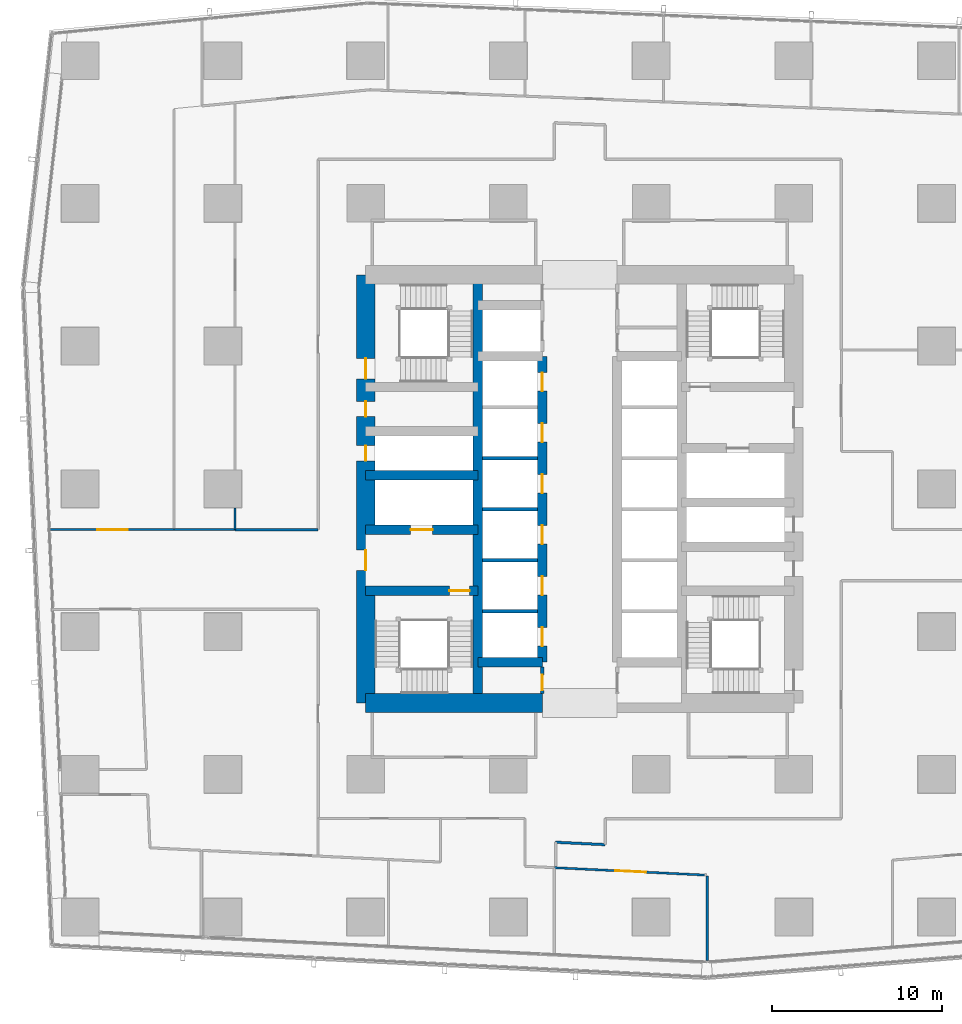
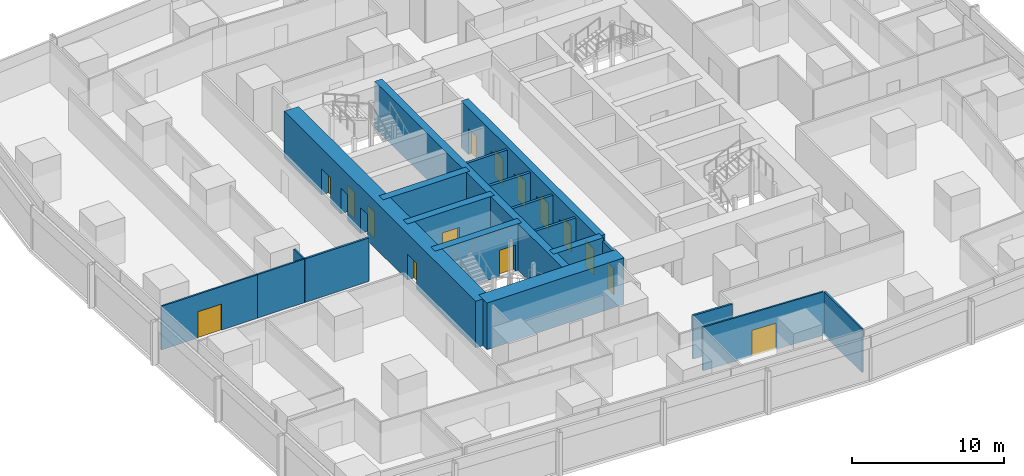
# One storey, part 32 of 44: 20 walls, 15 doors, 15 openings.
"""IFC4 building model written with IfcOpenShell, lengths in metres."""

from ifc_helpers import new_model, si_unit, direction, frame, frame_2d, origin, place, context, subcontext, project, spatial, rectangle, extrude, material, layer, layer_set, type_object, element, fill, save


model = new_model("IFC4")

# Units and contexts
model_context = context("Model", 3, precision=1e-05, world=origin(), true_north=direction((0.0, 1.0)))
body_context = subcontext(model_context, "Body", "Model", "MODEL_VIEW")
ifc_project = project(units=[si_unit("LENGTHUNIT", "METRE"), si_unit("AREAUNIT", "SQUARE_METRE"), si_unit("VOLUMEUNIT", "CUBIC_METRE"), si_unit("PLANEANGLEUNIT", "RADIAN"), si_unit("MASSUNIT", "GRAM", prefix="KILO")], contexts=[model_context])

# Site, building, storey
site_placement = place(None, origin())
site = spatial("IfcSite", under=ifc_project, at=site_placement, CompositionType="ELEMENT")
building_placement = place(site_placement, origin())
building = spatial("IfcBuilding", under=site, at=building_placement, Name="Rekha Terrace Tower", CompositionType="ELEMENT")
storey_placement = place(building_placement, frame((0.0, 0.0, 62.89990234375)))
storey = spatial("IfcBuildingStorey", under=building, at=storey_placement, Name="L15", CompositionType="ELEMENT", Elevation=62.89990234375)

# Wall
ifc_material_1 = material(Name="Concrete M70", Category="concrete")
ifc_layer_1 = layer(ifc_material_1, 0.550048828125)
ifc_layer_set_1 = layer_set([ifc_layer_1], Name="Concrete M70")
wall_type_1 = type_object("IfcWallType", Name="CI1 550 core internal shear wall", PredefinedType="SHEAR", material=ifc_layer_set_1)
wall_1_placement = place(storey_placement, frame((31.800048828125, 21.0, 0.0), z_axis=(0.0, 0.0, 1.0), x_axis=(0.0, 1.0, 0.0)))
element("IfcWall", 1, at=wall_1_placement, inside=storey, type_object=wall_type_1, Name="Core wall X318 L15", PredefinedType="SHEAR", context=body_context, shape_type="SweptSolid", body=[
    extrude(rectangle(XDim=25.199951171875, YDim=0.550048828125, at=frame_2d((12.60009765625, 0.0))), origin(), (0.0, 0.0, 1.0), 3.75),
])

# Wall, openings, doors
wall_2_placement = place(storey_placement, frame((35.60009765625, 23.39990234375, 0.0), z_axis=(0.0, 0.0, 1.0), x_axis=(0.0, 1.0, 0.0)))
wall_2 = element("IfcWall", 2, at=wall_2_placement, inside=storey, type_object=wall_type_1, Name="Core wall X356 L15", PredefinedType="SHEAR", context=body_context, shape_type="SweptSolid", body=[
    extrude(rectangle(XDim=18.0, YDim=0.550048828125, at=frame_2d((9.0, 0.0))), origin(), (0.0, 0.0, 1.0), 3.75),
])
opening_1_placement = place(wall_2_placement, frame((0.949951171875, 0.0, 0.0)))
opening_1 = element("IfcOpeningElement", 3, at=opening_1_placement, cuts=wall_2, Name="Opening LD1", PredefinedType="OPENING", context=body_context, shape_type="SweptSolid", body=[
    extrude(rectangle(XDim=1.10009765625, YDim=2.10009765625, at=frame_2d((0.550048828125, 1.050048828125))), frame((0.0, 0.284912109375, 0.0), z_axis=(0.0, -1.0, 0.0), x_axis=(1.0, 0.0, 0.0)), (0.0, 0.0, 1.0), 0.570068359375),
])
opening_2_placement = place(wall_2_placement, frame((3.949951171875, 0.0, 0.0)))
opening_2 = element("IfcOpeningElement", 4, at=opening_2_placement, cuts=wall_2, Name="Opening LD1", PredefinedType="OPENING", context=body_context, shape_type="SweptSolid", body=[
    extrude(rectangle(XDim=1.10009765625, YDim=2.10009765625, at=frame_2d((0.550048828125, 1.050048828125))), frame((0.0, 0.284912109375, 0.0), z_axis=(0.0, -1.0, 0.0), x_axis=(1.0, 0.0, 0.0)), (0.0, 0.0, 1.0), 0.570068359375),
])
opening_3_placement = place(wall_2_placement, frame((6.949951171875, 0.0, 0.0)))
opening_3 = element("IfcOpeningElement", 5, at=opening_3_placement, cuts=wall_2, Name="Opening LD1", PredefinedType="OPENING", context=body_context, shape_type="SweptSolid", body=[
    extrude(rectangle(XDim=1.10009765625, YDim=2.10009765625, at=frame_2d((0.550048828125, 1.050048828125))), frame((0.0, 0.284912109375, 0.0), z_axis=(0.0, -1.0, 0.0), x_axis=(1.0, 0.0, 0.0)), (0.0, 0.0, 1.0), 0.570068359375),
])
opening_4_placement = place(wall_2_placement, frame((9.949951171875, 0.0, 0.0)))
opening_4 = element("IfcOpeningElement", 6, at=opening_4_placement, cuts=wall_2, Name="Opening LD1", PredefinedType="OPENING", context=body_context, shape_type="SweptSolid", body=[
    extrude(rectangle(XDim=1.10009765625, YDim=2.10009765625, at=frame_2d((0.550048828125, 1.050048828125))), frame((0.0, 0.284912109375, 0.0), z_axis=(0.0, -1.0, 0.0), x_axis=(1.0, 0.0, 0.0)), (0.0, 0.0, 1.0), 0.570068359375),
])
opening_5_placement = place(wall_2_placement, frame((12.949951171875, 0.0, 0.0)))
opening_5 = element("IfcOpeningElement", 7, at=opening_5_placement, cuts=wall_2, Name="Opening LD1", PredefinedType="OPENING", context=body_context, shape_type="SweptSolid", body=[
    extrude(rectangle(XDim=1.10009765625, YDim=2.10009765625, at=frame_2d((0.550048828125, 1.050048828125))), frame((0.0, 0.284912109375, 0.0), z_axis=(0.0, -1.0, 0.0), x_axis=(1.0, 0.0, 0.0)), (0.0, 0.0, 1.0), 0.570068359375),
])
opening_6_placement = place(wall_2_placement, frame((15.949951171875, 0.0, 0.0)))
opening_6 = element("IfcOpeningElement", 8, at=opening_6_placement, cuts=wall_2, Name="Opening LD1", PredefinedType="OPENING", context=body_context, shape_type="SweptSolid", body=[
    extrude(rectangle(XDim=1.10009765625, YDim=2.10009765625, at=frame_2d((0.550048828125, 1.050048828125))), frame((0.0, 0.284912109375, 0.0), z_axis=(0.0, -1.0, 0.0), x_axis=(1.0, 0.0, 0.0)), (0.0, 0.0, 1.0), 0.570068359375),
])
ifc_material_2 = material(Name="Stainless steel sliding landing door", Category="steel")
door_type_1 = type_object("IfcDoorType", Name="LD1 1100x2100 lift landing door", OperationType="SLIDING_TO_LEFT", PredefinedType="USERDEFINED", material=ifc_material_2)
door_1_placement = place(opening_1_placement, origin())
door_1 = element("IfcDoor", 9, at=door_1_placement, inside=storey, type_object=door_type_1, Name="Lift A1 landing door L15", ObjectType="LIFT LANDING DOOR", OperationType="SLIDING_TO_LEFT", OverallHeight=2.10009765625, OverallWidth=1.10009765625, PredefinedType="USERDEFINED", context=body_context, shape_type="SweptSolid", body=[
    extrude(rectangle(XDim=1.10009765625, YDim=2.10009765625, at=frame_2d((0.550048828125, 1.050048828125))), frame((0.0, 0.02490234375, 0.0), z_axis=(0.0, -1.0, 0.0), x_axis=(1.0, 0.0, 0.0)), (0.0, 0.0, 1.0), 0.050048828125),
])
fill(opening_1, door_1)
door_2_placement = place(opening_2_placement, origin())
door_2 = element("IfcDoor", 10, at=door_2_placement, inside=storey, type_object=door_type_1, Name="Lift A2 landing door L15", ObjectType="LIFT LANDING DOOR", OperationType="SLIDING_TO_LEFT", OverallHeight=2.10009765625, OverallWidth=1.10009765625, PredefinedType="USERDEFINED", context=body_context, shape_type="SweptSolid", body=[
    extrude(rectangle(XDim=1.10009765625, YDim=2.10009765625, at=frame_2d((0.550048828125, 1.050048828125))), frame((0.0, 0.02490234375, 0.0), z_axis=(0.0, -1.0, 0.0), x_axis=(1.0, 0.0, 0.0)), (0.0, 0.0, 1.0), 0.050048828125),
])
fill(opening_2, door_2)
door_3_placement = place(opening_3_placement, origin())
door_3 = element("IfcDoor", 11, at=door_3_placement, inside=storey, type_object=door_type_1, Name="Lift A3 landing door L15", ObjectType="LIFT LANDING DOOR", OperationType="SLIDING_TO_LEFT", OverallHeight=2.10009765625, OverallWidth=1.10009765625, PredefinedType="USERDEFINED", context=body_context, shape_type="SweptSolid", body=[
    extrude(rectangle(XDim=1.10009765625, YDim=2.10009765625, at=frame_2d((0.550048828125, 1.050048828125))), frame((0.0, 0.02490234375, 0.0), z_axis=(0.0, -1.0, 0.0), x_axis=(1.0, 0.0, 0.0)), (0.0, 0.0, 1.0), 0.050048828125),
])
fill(opening_3, door_3)
door_4_placement = place(opening_4_placement, origin())
door_4 = element("IfcDoor", 12, at=door_4_placement, inside=storey, type_object=door_type_1, Name="Lift A4 landing door L15", ObjectType="LIFT LANDING DOOR", OperationType="SLIDING_TO_LEFT", OverallHeight=2.10009765625, OverallWidth=1.10009765625, PredefinedType="USERDEFINED", context=body_context, shape_type="SweptSolid", body=[
    extrude(rectangle(XDim=1.10009765625, YDim=2.10009765625, at=frame_2d((0.550048828125, 1.050048828125))), frame((0.0, 0.02490234375, 0.0), z_axis=(0.0, -1.0, 0.0), x_axis=(1.0, 0.0, 0.0)), (0.0, 0.0, 1.0), 0.050048828125),
])
fill(opening_4, door_4)
door_5_placement = place(opening_5_placement, origin())
door_5 = element("IfcDoor", 13, at=door_5_placement, inside=storey, type_object=door_type_1, Name="Lift A5 landing door L15", ObjectType="LIFT LANDING DOOR", OperationType="SLIDING_TO_LEFT", OverallHeight=2.10009765625, OverallWidth=1.10009765625, PredefinedType="USERDEFINED", context=body_context, shape_type="SweptSolid", body=[
    extrude(rectangle(XDim=1.10009765625, YDim=2.10009765625, at=frame_2d((0.550048828125, 1.050048828125))), frame((0.0, 0.02490234375, 0.0), z_axis=(0.0, -1.0, 0.0), x_axis=(1.0, 0.0, 0.0)), (0.0, 0.0, 1.0), 0.050048828125),
])
fill(opening_5, door_5)
door_6_placement = place(opening_6_placement, origin())
door_6 = element("IfcDoor", 14, at=door_6_placement, inside=storey, type_object=door_type_1, Name="Lift A6 landing door L15", ObjectType="LIFT LANDING DOOR", OperationType="SLIDING_TO_LEFT", OverallHeight=2.10009765625, OverallWidth=1.10009765625, PredefinedType="USERDEFINED", context=body_context, shape_type="SweptSolid", body=[
    extrude(rectangle(XDim=1.10009765625, YDim=2.10009765625, at=frame_2d((0.550048828125, 1.050048828125))), frame((0.0, 0.02490234375, 0.0), z_axis=(0.0, -1.0, 0.0), x_axis=(1.0, 0.0, 0.0)), (0.0, 0.0, 1.0), 0.050048828125),
])
fill(opening_6, door_6)

# Wall
wall_3_placement = place(storey_placement, frame((31.800048828125, 23.39990234375, 0.0), z_axis=(0.0, 0.0, 1.0), x_axis=(1.0, 0.0, 0.0)))
element("IfcWall", 15, at=wall_3_placement, inside=storey, type_object=wall_type_1, Name="Core wall Y234W L15", PredefinedType="SHEAR", context=body_context, shape_type="SweptSolid", body=[
    extrude(rectangle(XDim=3.800048828125, YDim=0.550048828125, at=frame_2d((1.89990234375, 0.0))), origin(), (0.0, 0.0, 1.0), 3.75),
])

# Wall, opening, door
wall_4_placement = place(storey_placement, frame((25.199951171875, 27.60009765625, 0.0), z_axis=(0.0, 0.0, 1.0), x_axis=(1.0, 0.0, 0.0)))
wall_4 = element("IfcWall", 16, at=wall_4_placement, inside=storey, type_object=wall_type_1, Name="Core wall Y276W L15", PredefinedType="SHEAR", context=body_context, shape_type="SweptSolid", body=[
    extrude(rectangle(XDim=6.60009765625, YDim=0.550048828125, at=frame_2d((3.300048828125, 0.0))), origin(), (0.0, 0.0, 1.0), 3.75),
])
opening_7_placement = place(wall_4_placement, frame((4.925048828125, 0.0, 0.0)))
opening_7 = element("IfcOpeningElement", 17, at=opening_7_placement, cuts=wall_4, Name="Opening D1", PredefinedType="OPENING", context=body_context, shape_type="SweptSolid", body=[
    extrude(rectangle(XDim=1.199951171875, YDim=2.10009765625, at=frame_2d((0.60009765625, 1.050048828125))), frame((0.0, 0.284912109375, 0.0), z_axis=(0.0, -1.0, 0.0), x_axis=(1.0, 0.0, 0.0)), (0.0, 0.0, 1.0), 0.570068359375),
])
ifc_material_3 = material(Name="Steel fire door", Category="steel")
door_type_2 = type_object("IfcDoorType", Name="D1 1200x2100 stair fire door", OperationType="SINGLE_SWING_RIGHT", PredefinedType="DOOR", material=ifc_material_3)
door_7_placement = place(opening_7_placement, origin())
door_7 = element("IfcDoor", 18, at=door_7_placement, inside=storey, type_object=door_type_2, Name="Stair ST1 door L15", OperationType="SINGLE_SWING_RIGHT", OverallHeight=2.10009765625, OverallWidth=1.199951171875, PredefinedType="DOOR", context=body_context, shape_type="SweptSolid", body=[
    extrude(rectangle(XDim=1.199951171875, YDim=2.10009765625, at=frame_2d((0.60009765625, 1.050048828125))), frame((0.0, 0.02490234375, 0.0), z_axis=(0.0, -1.0, 0.0), x_axis=(1.0, 0.0, 0.0)), (0.0, 0.0, 1.0), 0.050048828125),
])
fill(opening_7, door_7)

wall_5_placement = place(storey_placement, frame((25.199951171875, 31.199951171875, 0.0), z_axis=(0.0, 0.0, 1.0), x_axis=(1.0, 0.0, 0.0)))
wall_5 = element("IfcWall", 19, at=wall_5_placement, inside=storey, type_object=wall_type_1, Name="Core wall Y312W L15", PredefinedType="SHEAR", context=body_context, shape_type="SweptSolid", body=[
    extrude(rectangle(XDim=6.60009765625, YDim=0.550048828125, at=frame_2d((3.300048828125, 0.0))), origin(), (0.0, 0.0, 1.0), 3.75),
])
opening_8_placement = place(wall_5_placement, frame((2.64990234375, 0.0, 0.0)))
opening_8 = element("IfcOpeningElement", 20, at=opening_8_placement, cuts=wall_5, Name="Opening LD2", PredefinedType="OPENING", context=body_context, shape_type="SweptSolid", body=[
    extrude(rectangle(XDim=1.300048828125, YDim=2.10009765625, at=frame_2d((0.64990234375, 1.050048828125))), frame((0.0, 0.284912109375, 0.0), z_axis=(0.0, -1.0, 0.0), x_axis=(1.0, 0.0, 0.0)), (0.0, 0.0, 1.0), 0.570068359375),
])
door_type_3 = type_object("IfcDoorType", Name="LD2 1300x2100 fire lift landing door", OperationType="SLIDING_TO_LEFT", PredefinedType="USERDEFINED", material=ifc_material_2)
door_8_placement = place(opening_8_placement, origin())
door_8 = element("IfcDoor", 21, at=door_8_placement, inside=storey, type_object=door_type_3, Name="Lift FL1 landing door L15", ObjectType="LIFT LANDING DOOR", OperationType="SLIDING_TO_LEFT", OverallHeight=2.10009765625, OverallWidth=1.300048828125, PredefinedType="USERDEFINED", context=body_context, shape_type="SweptSolid", body=[
    extrude(rectangle(XDim=1.300048828125, YDim=2.10009765625, at=frame_2d((0.64990234375, 1.050048828125))), frame((0.0, 0.02490234375, 0.0), z_axis=(0.0, -1.0, 0.0), x_axis=(1.0, 0.0, 0.0)), (0.0, 0.0, 1.0), 0.050048828125),
])
fill(opening_8, door_8)

# Walls
wall_6_placement = place(storey_placement, frame((25.199951171875, 34.39990234375, 0.0), z_axis=(0.0, 0.0, 1.0), x_axis=(1.0, 0.0, 0.0)))
element("IfcWall", 22, at=wall_6_placement, inside=storey, type_object=wall_type_1, Name="Core wall Y344W L15", PredefinedType="SHEAR", context=body_context, shape_type="SweptSolid", body=[
    extrude(rectangle(XDim=6.60009765625, YDim=0.550048828125, at=frame_2d((3.300048828125, 0.0))), origin(), (0.0, 0.0, 1.0), 3.75),
])
ifc_layer_2 = layer(ifc_material_1, 1.10009765625)
ifc_layer_set_2 = layer_set([ifc_layer_2], Name="Concrete M70")
wall_type_2 = type_object("IfcWallType", Name="SW1 1100 core outer shear wall", PredefinedType="SHEAR", material=ifc_layer_set_2)
wall_7_placement = place(storey_placement, frame((25.199951171875, 21.0, 0.0), z_axis=(0.0, 0.0, 1.0), x_axis=(1.0, 0.0, 0.0)))
element("IfcWall", 23, at=wall_7_placement, inside=storey, type_object=wall_type_2, Name="Core wall S1 L15", PredefinedType="SHEAR", context=body_context, shape_type="SweptSolid", body=[
    extrude(rectangle(XDim=10.400146484375, YDim=1.10009765625, at=frame_2d((5.2001953125, 0.0))), origin(), (0.0, 0.0, 1.0), 3.75),
])

# Wall, openings, doors
wall_8_placement = place(storey_placement, frame((25.199951171875, 21.0, 0.0), z_axis=(0.0, 0.0, 1.0), x_axis=(0.0, 1.0, 0.0)))
wall_8 = element("IfcWall", 24, at=wall_8_placement, inside=storey, type_object=wall_type_2, Name="Core wall W L15", PredefinedType="SHEAR", context=body_context, shape_type="SweptSolid", body=[
    extrude(rectangle(XDim=25.199951171875, YDim=1.10009765625, at=frame_2d((12.60009765625, 0.0))), origin(), (0.0, 0.0, 1.0), 3.75),
])
opening_9_placement = place(wall_8_placement, frame((7.800048828125, 0.0, 0.0)))
opening_9 = element("IfcOpeningElement", 25, at=opening_9_placement, cuts=wall_8, Name="Opening D2", PredefinedType="OPENING", context=body_context, shape_type="SweptSolid", body=[
    extrude(rectangle(XDim=1.199951171875, YDim=2.10009765625, at=frame_2d((0.60009765625, 1.050048828125))), frame((0.0, 0.56005859375, 0.0), z_axis=(0.0, -1.0, 0.0), x_axis=(1.0, 0.0, 0.0)), (0.0, 0.0, 1.0), 1.1201171875),
])
opening_10_placement = place(wall_8_placement, frame((14.25, 0.0, 0.0)))
opening_10 = element("IfcOpeningElement", 26, at=opening_10_placement, cuts=wall_8, Name="Opening D5", PredefinedType="OPENING", context=body_context, shape_type="SweptSolid", body=[
    extrude(rectangle(XDim=0.89990234375, YDim=2.10009765625, at=frame_2d((0.449951171875, 1.050048828125))), frame((0.0, 0.56005859375, 0.0), z_axis=(0.0, -1.0, 0.0), x_axis=(1.0, 0.0, 0.0)), (0.0, 0.0, 1.0), 1.1201171875),
])
opening_11_placement = place(wall_8_placement, frame((16.85009765625, 0.0, 0.0)))
opening_11 = element("IfcOpeningElement", 27, at=opening_11_placement, cuts=wall_8, Name="Opening D5", PredefinedType="OPENING", context=body_context, shape_type="SweptSolid", body=[
    extrude(rectangle(XDim=0.89990234375, YDim=2.10009765625, at=frame_2d((0.449951171875, 1.050048828125))), frame((0.0, 0.56005859375, 0.0), z_axis=(0.0, -1.0, 0.0), x_axis=(1.0, 0.0, 0.0)), (0.0, 0.0, 1.0), 1.1201171875),
])
opening_12_placement = place(wall_8_placement, frame((19.074951171875, 0.0, 0.0)))
opening_12 = element("IfcOpeningElement", 28, at=opening_12_placement, cuts=wall_8, Name="Opening D1", PredefinedType="OPENING", context=body_context, shape_type="SweptSolid", body=[
    extrude(rectangle(XDim=1.199951171875, YDim=2.10009765625, at=frame_2d((0.60009765625, 1.050048828125))), frame((0.0, 0.56005859375, 0.0), z_axis=(0.0, -1.0, 0.0), x_axis=(1.0, 0.0, 0.0)), (0.0, 0.0, 1.0), 1.1201171875),
])
door_9_placement = place(opening_12_placement, origin())
door_9 = element("IfcDoor", 29, at=door_9_placement, inside=storey, type_object=door_type_2, Name="Stair ST4 door L15", OperationType="SINGLE_SWING_RIGHT", OverallHeight=2.10009765625, OverallWidth=1.199951171875, PredefinedType="DOOR", context=body_context, shape_type="SweptSolid", body=[
    extrude(rectangle(XDim=1.199951171875, YDim=2.10009765625, at=frame_2d((0.60009765625, 1.050048828125))), frame((0.0, 0.02490234375, 0.0), z_axis=(0.0, -1.0, 0.0), x_axis=(1.0, 0.0, 0.0)), (0.0, 0.0, 1.0), 0.050048828125),
])
fill(opening_12, door_9)
door_type_4 = type_object("IfcDoorType", Name="D2 1200x2100 firefighting lobby door", OperationType="SINGLE_SWING_LEFT", PredefinedType="DOOR", material=ifc_material_3)
door_10_placement = place(opening_9_placement, origin())
door_10 = element("IfcDoor", 30, at=door_10_placement, inside=storey, type_object=door_type_4, Name="Door flb1 L15", OperationType="SINGLE_SWING_LEFT", OverallHeight=2.10009765625, OverallWidth=1.199951171875, PredefinedType="DOOR", context=body_context, shape_type="SweptSolid", body=[
    extrude(rectangle(XDim=1.199951171875, YDim=2.10009765625, at=frame_2d((0.60009765625, 1.050048828125))), frame((0.0, 0.02490234375, 0.0), z_axis=(0.0, -1.0, 0.0), x_axis=(1.0, 0.0, 0.0)), (0.0, 0.0, 1.0), 0.050048828125),
])
fill(opening_9, door_10)
door_type_5 = type_object("IfcDoorType", Name="D5 900x2100 riser access door", OperationType="SINGLE_SWING_LEFT", PredefinedType="DOOR", material=ifc_material_3)
door_11_placement = place(opening_10_placement, origin())
door_11 = element("IfcDoor", 31, at=door_11_placement, inside=storey, type_object=door_type_5, Name="Door rs1 L15", OperationType="SINGLE_SWING_LEFT", OverallHeight=2.10009765625, OverallWidth=0.89990234375, PredefinedType="DOOR", context=body_context, shape_type="SweptSolid", body=[
    extrude(rectangle(XDim=0.89990234375, YDim=2.10009765625, at=frame_2d((0.449951171875, 1.050048828125))), frame((0.0, 0.02490234375, 0.0), z_axis=(0.0, -1.0, 0.0), x_axis=(1.0, 0.0, 0.0)), (0.0, 0.0, 1.0), 0.050048828125),
])
fill(opening_10, door_11)
door_12_placement = place(opening_11_placement, origin())
door_12 = element("IfcDoor", 32, at=door_12_placement, inside=storey, type_object=door_type_5, Name="Door elw L15", OperationType="SINGLE_SWING_LEFT", OverallHeight=2.10009765625, OverallWidth=0.89990234375, PredefinedType="DOOR", context=body_context, shape_type="SweptSolid", body=[
    extrude(rectangle(XDim=0.89990234375, YDim=2.10009765625, at=frame_2d((0.449951171875, 1.050048828125))), frame((0.0, 0.02490234375, 0.0), z_axis=(0.0, -1.0, 0.0), x_axis=(1.0, 0.0, 0.0)), (0.0, 0.0, 1.0), 0.050048828125),
])
fill(opening_11, door_12)

# Walls
ifc_material_4 = material(Name="Concrete block masonry, 1 hour", Category="masonry")
ifc_layer_3 = layer(ifc_material_4, 0.14990234375)
ifc_layer_set_3 = layer_set([ifc_layer_3], Name="Concrete block masonry, 1 hour")
wall_type_3 = type_object("IfcWallType", Name="WP2 150 tenancy partition", PredefinedType="PARTITIONING", material=ifc_layer_set_3)
wall_9_placement = place(storey_placement, frame((36.384033203125, 12.805908203125, 0.0), z_axis=(0.0, 0.0, 1.0), x_axis=(0.99880270372, -0.048919924789, 0.0)))
element("IfcWall", 33, at=wall_9_placement, inside=storey, type_object=wall_type_3, Name="Partition L15-O1", PredefinedType="PARTITIONING", context=body_context, shape_type="SweptSolid", body=[
    extrude(rectangle(XDim=2.91943359375, YDim=0.14990234375, at=frame_2d((1.459716796875, 0.0))), origin(), (0.0, 0.0, 1.0), 3.5),
])
wall_10_placement = place(storey_placement, frame((22.39990234375, 31.199951171875, 0.0), z_axis=(0.0, 0.0, 1.0), x_axis=(-1.0, 0.0, 0.0)))
element("IfcWall", 34, at=wall_10_placement, inside=storey, type_object=wall_type_3, Name="Partition L15-O3", PredefinedType="PARTITIONING", context=body_context, shape_type="SweptSolid", body=[
    extrude(rectangle(XDim=4.8828125, YDim=0.14990234375, at=frame_2d((2.44140625, 0.0))), origin(), (0.0, 0.0, 1.0), 3.5),
])
ifc_material_5 = material(Name="Two layers of fire-rated gypsum board each side on steel studs, acoustic quilt, 1 hour", Category="steel")
ifc_layer_4 = layer(ifc_material_5, 0.125)
ifc_layer_set_4 = layer_set([ifc_layer_4], Name="Two layers of fire-rated gypsum board each side on steel studs, acoustic quilt, 1 hour")
wall_type_4 = type_object("IfcWallType", Name="WP3 125 office partition", PredefinedType="PARTITIONING", material=ifc_layer_set_4)
wall_11_placement = place(storey_placement, frame((45.303955078125, 10.805908203125, 0.0), z_axis=(0.0, 0.0, 1.0), x_axis=(0.0, -1.0, 0.0)))
element("IfcWall", 35, at=wall_11_placement, inside=storey, type_object=wall_type_4, Name="Partition L15-02", PredefinedType="PARTITIONING", context=body_context, shape_type="SweptSolid", body=[
    extrude(rectangle(XDim=4.9609375, YDim=0.125, at=frame_2d((2.48046875, 0.0))), origin(), (0.0, 0.0, 1.0), 3.5),
])

# Wall, opening, door
wall_12_placement = place(storey_placement, frame((36.299072265625, 11.30908203125, 0.0), z_axis=(0.0, 0.0, 1.0), x_axis=(0.998795041163, -0.049076121979, 0.0)))
wall_12 = element("IfcWall", 36, at=wall_12_placement, inside=storey, type_object=wall_type_4, Name="Partition L15-02", PredefinedType="PARTITIONING", context=body_context, shape_type="SweptSolid", body=[
    extrude(rectangle(XDim=8.90478515625, YDim=0.125, at=frame_2d((4.452392578125, 0.0))), origin(), (0.0, 0.0, 1.0), 3.5),
])
opening_13_placement = place(wall_12_placement, frame((3.60791015625, 0.0, 0.0)))
opening_13 = element("IfcOpeningElement", 37, at=opening_13_placement, cuts=wall_12, Name="Opening D8", PredefinedType="OPENING", context=body_context, shape_type="SweptSolid", body=[
    extrude(rectangle(XDim=1.800048828125, YDim=2.10009765625, at=frame_2d((0.89990234375, 1.050048828125))), frame((0.0, 0.072509765625, 0.0), z_axis=(0.0, -1.0, 0.0), x_axis=(1.0, 0.0, 0.0)), (0.0, 0.0, 1.0), 0.14501953125),
])
ifc_material_6 = material(Name="Timber fire door", Category="wood")
door_type_6 = type_object("IfcDoorType", Name="D8 1800x2100 double leaf door", OperationType="DOUBLE_DOOR_SINGLE_SWING", PredefinedType="DOOR", material=ifc_material_6)
door_13_placement = place(opening_13_placement, origin())
door_13 = element("IfcDoor", 38, at=door_13_placement, inside=storey, type_object=door_type_6, Name="Door meeting room L15", OperationType="DOUBLE_DOOR_SINGLE_SWING", OverallHeight=2.10009765625, OverallWidth=1.800048828125, PredefinedType="DOOR", context=body_context, shape_type="SweptSolid", body=[
    extrude(rectangle(XDim=1.800048828125, YDim=2.10009765625, at=frame_2d((0.89990234375, 1.050048828125))), frame((0.0, 0.02490234375, 0.0), z_axis=(0.0, -1.0, 0.0), x_axis=(1.0, 0.0, 0.0)), (0.0, 0.0, 1.0), 0.050048828125),
])
fill(opening_13, door_13)

wall_13_placement = place(storey_placement, frame((13.9169921875, 31.199951171875, 0.0), z_axis=(0.0, 0.0, 1.0), x_axis=(-1.0, 0.0, 0.0)))
wall_13 = element("IfcWall", 39, at=wall_13_placement, inside=storey, type_object=wall_type_4, Name="Partition L15-21", PredefinedType="PARTITIONING", context=body_context, shape_type="SweptSolid", body=[
    extrude(rectangle(XDim=7.281982421875, YDim=0.125, at=frame_2d((3.64111328125, 0.0))), origin(), (0.0, 0.0, 1.0), 3.5),
])
opening_14_placement = place(wall_13_placement, frame((2.72607421875, 0.0, 0.0)))
opening_14 = element("IfcOpeningElement", 40, at=opening_14_placement, cuts=wall_13, Name="Opening D8", PredefinedType="OPENING", context=body_context, shape_type="SweptSolid", body=[
    extrude(rectangle(XDim=1.800048828125, YDim=2.10009765625, at=frame_2d((0.89990234375, 1.050048828125))), frame((0.0, 0.072509765625, 0.0), z_axis=(0.0, -1.0, 0.0), x_axis=(1.0, 0.0, 0.0)), (0.0, 0.0, 1.0), 0.14501953125),
])
door_14_placement = place(opening_14_placement, origin())
door_14 = element("IfcDoor", 41, at=door_14_placement, inside=storey, type_object=door_type_6, Name="Door reception L15", OperationType="DOUBLE_DOOR_SINGLE_SWING", OverallHeight=2.10009765625, OverallWidth=1.800048828125, PredefinedType="DOOR", context=body_context, shape_type="SweptSolid", body=[
    extrude(rectangle(XDim=1.800048828125, YDim=2.10009765625, at=frame_2d((0.89990234375, 1.050048828125))), frame((0.0, 0.02490234375, 0.0), z_axis=(0.0, -1.0, 0.0), x_axis=(1.0, 0.0, 0.0)), (0.0, 0.0, 1.0), 0.050048828125),
])
fill(opening_14, door_14)

# Walls
wall_14_placement = place(storey_placement, frame((17.51708984375, 32.47998046875, 0.0), z_axis=(0.0, 0.0, 1.0), x_axis=(0.0, -1.0, 0.0)))
element("IfcWall", 42, at=wall_14_placement, inside=storey, type_object=wall_type_4, Name="Partition L15-22", PredefinedType="PARTITIONING", context=body_context, shape_type="SweptSolid", body=[
    extrude(rectangle(XDim=1.280029296875, YDim=0.125, at=frame_2d((0.64013671875, 0.0))), origin(), (0.0, 0.0, 1.0), 3.5),
])
wall_15_placement = place(storey_placement, frame((17.51708984375, 31.199951171875, 0.0), z_axis=(0.0, 0.0, 1.0), x_axis=(-1.0, 0.0, 0.0)))
element("IfcWall", 43, at=wall_15_placement, inside=storey, type_object=wall_type_4, Name="Partition L15-22", PredefinedType="PARTITIONING", context=body_context, shape_type="SweptSolid", body=[
    extrude(rectangle(XDim=3.60009765625, YDim=0.125, at=frame_2d((1.800048828125, 0.0))), origin(), (0.0, 0.0, 1.0), 3.5),
])
ifc_material_7 = material(Name="Solid concrete block masonry, 2 hour", Category="masonry")
ifc_layer_5 = layer(ifc_material_7, 0.199951171875)
ifc_layer_set_5 = layer_set([ifc_layer_5], Name="Solid concrete block masonry, 2 hour")
wall_type_5 = type_object("IfcWallType", Name="WS1 200 stair and shaft enclosure", PredefinedType="PARTITIONING", material=ifc_layer_set_5)
for number, where, z_axis, x_axis, name in (
    (44, (32.074951171875, 26.39990234375, 0.0), (0.0, 0.0, 1.0), (1.0, 0.0, 0.0), "Lift shaft divider L15"),
    (45, (32.074951171875, 29.39990234375, 0.0), (0.0, 0.0, 1.0), (1.0, 0.0, 0.0), "Lift shaft divider L15"),
    (46, (32.074951171875, 32.39990234375, 0.0), (0.0, 0.0, 1.0), (1.0, 0.0, 0.0), "Lift shaft divider L15"),
    (47, (32.074951171875, 35.39990234375, 0.0), (0.0, 0.0, 1.0), (1.0, 0.0, 0.0), "Lift shaft divider L15"),
):
    element("IfcWall", number, at=place(storey_placement, frame(where, z_axis=z_axis, x_axis=x_axis)), inside=storey, type_object=wall_type_5, Name=name, PredefinedType="PARTITIONING", context=body_context, shape_type="SweptSolid", body=[
        extrude(rectangle(XDim=3.25, YDim=0.199951171875, at=frame_2d((1.625, 0.0))), origin(), (0.0, 0.0, 1.0), 3.5),
    ])

# Wall, opening, door
wall_16_placement = place(storey_placement, frame((35.60009765625, 21.550048828125, 0.0), z_axis=(0.0, 0.0, 1.0), x_axis=(0.0, 1.0, 0.0)))
wall_16 = element("IfcWall", 48, at=wall_16_placement, inside=storey, type_object=wall_type_5, Name="Core partition west L15", PredefinedType="PARTITIONING", context=body_context, shape_type="SweptSolid", body=[
    extrude(rectangle(XDim=1.574951171875, YDim=0.199951171875, at=frame_2d((0.78759765625, 0.0))), origin(), (0.0, 0.0, 1.0), 3.5),
])
opening_15_placement = place(wall_16_placement, frame((0.199951171875, 0.0, 0.0)))
opening_15 = element("IfcOpeningElement", 49, at=opening_15_placement, cuts=wall_16, Name="Opening D5", PredefinedType="OPENING", context=body_context, shape_type="SweptSolid", body=[
    extrude(rectangle(XDim=0.89990234375, YDim=2.10009765625, at=frame_2d((0.449951171875, 1.050048828125))), frame((0.0, 0.10986328125, 0.0), z_axis=(0.0, -1.0, 0.0), x_axis=(1.0, 0.0, 0.0)), (0.0, 0.0, 1.0), 0.219970703125),
])
door_15_placement = place(opening_15_placement, origin())
door_15 = element("IfcDoor", 50, at=door_15_placement, inside=storey, type_object=door_type_5, Name="Door tenant store L15", OperationType="SINGLE_SWING_LEFT", OverallHeight=2.10009765625, OverallWidth=0.89990234375, PredefinedType="DOOR", context=body_context, shape_type="SweptSolid", body=[
    extrude(rectangle(XDim=0.89990234375, YDim=2.10009765625, at=frame_2d((0.449951171875, 1.050048828125))), frame((0.0, 0.02490234375, 0.0), z_axis=(0.0, -1.0, 0.0), x_axis=(1.0, 0.0, 0.0)), (0.0, 0.0, 1.0), 0.050048828125),
])
fill(opening_15, door_15)

save(model, "model.ifc")
